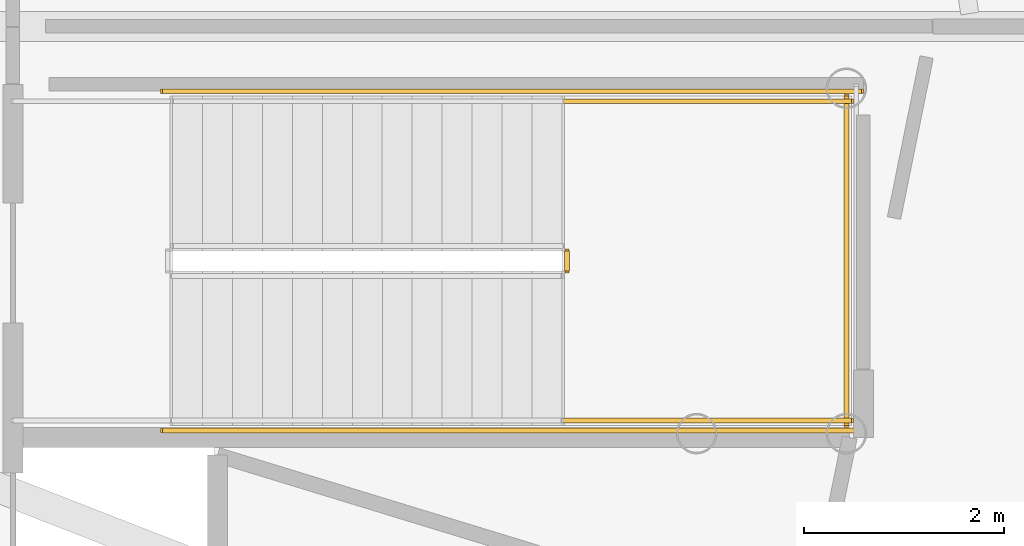
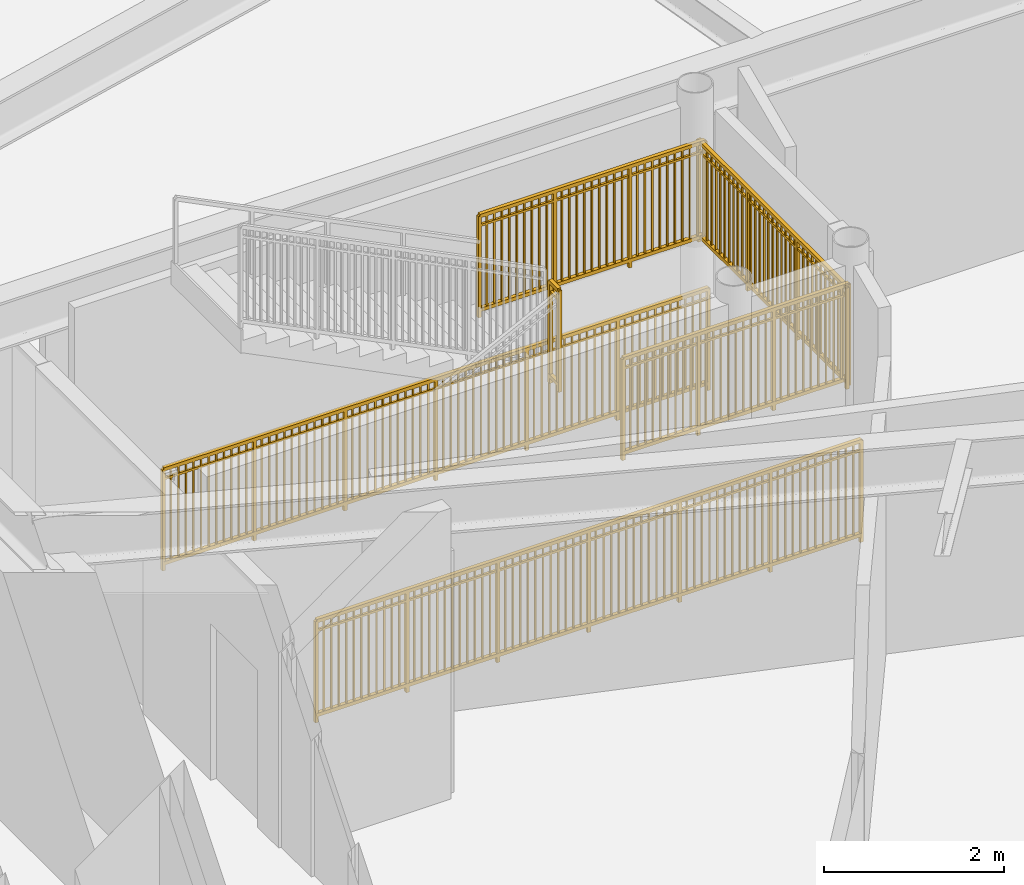
# One storey, part 31 of 32: 6 railings.
"""IFC4 building model written with IfcOpenShell, lengths in metres."""

from ifc_helpers import new_model, si_unit, direction, frame, origin, origin_2d, place, context, subcontext, project, spatial, rectangle, extrude, source, transform, mapped, material, type_object, element, save


model = new_model("IFC4")

# Units and contexts
model_context = context("Model", 3, precision=1e-05, world=origin(), true_north=direction((0.0, 1.0)))
body_context = subcontext(model_context, "Body", "Model", "MODEL_VIEW")
ifc_project = project(units=[si_unit("LENGTHUNIT", "METRE"), si_unit("AREAUNIT", "SQUARE_METRE"), si_unit("VOLUMEUNIT", "CUBIC_METRE"), si_unit("PLANEANGLEUNIT", "RADIAN"), si_unit("MASSUNIT", "GRAM", prefix="KILO")], contexts=[model_context])

# Site, building, storey
site_placement = place(None, origin())
site = spatial("IfcSite", under=ifc_project, at=site_placement, CompositionType="ELEMENT")
building_placement = place(site_placement, origin())
building = spatial("IfcBuilding", under=site, at=building_placement, Name="Linh Dai School and Residence Tower", CompositionType="ELEMENT")
storey_placement = place(building_placement, frame((0.0, 0.0, 40.800048828125)))
storey = spatial("IfcBuildingStorey", under=building, at=storey_placement, Name="L09", CompositionType="ELEMENT", Elevation=40.800048828125)

# Railings
ifc_material = material(Name="Structural Steel S355JR", Category="steel")
railing_type = type_object("IfcRailingType", Name="RL-ST-GUARD-1400", PredefinedType="GUARDRAIL", material=ifc_material)
shared_shape_1 = source(origin(), body_context, "Body", "SweptSolid", [
    extrude(rectangle(XDim=0.048095703125, YDim=0.048095703125, at=origin_2d()), frame((0.0, 0.0, 1.3759765625), z_axis=(0.0, 1.0, 0.0), x_axis=(-1.0, 0.0, 0.0)), (0.0, 0.0, 1.0), 0.199951171875),
    extrude(rectangle(XDim=0.048095703125, YDim=0.048095703125, at=origin_2d()), frame((0.0, 0.0, 0.10009765625), z_axis=(0.0, 1.0, 0.0), x_axis=(-1.0, 0.0, 0.0)), (0.0, 0.0, 1.0), 0.199951171875),
    extrude(rectangle(XDim=0.030029296875, YDim=0.030029296875, at=origin_2d()), frame((0.0, 0.0, 1.239990234375), z_axis=(0.0, 1.0, 0.0), x_axis=(-1.0, 0.0, 0.0)), (0.0, 0.0, 1.0), 0.199951171875),
    extrude(rectangle(XDim=0.0419921875, YDim=0.0419921875, at=origin_2d()), origin(), (0.0, 0.0, 1.0), 1.3759765625),
    extrude(rectangle(XDim=0.0419921875, YDim=0.0419921875, at=origin_2d()), frame((0.0, 0.199951171875, 0.0)), (0.0, 0.0, 1.0), 1.3759765625),
])
railing_1_placement = place(storey_placement, frame((53.550048828125, 24.550048828125, 2.099853515625)))
element("IfcRailing", 1, at=railing_1_placement, inside=storey, type_object=railing_type, Name="L09 STS2 stair guard 2", PredefinedType="GUARDRAIL", context=body_context, shape_type="MappedRepresentation", body=[
    mapped(shared_shape_1, transform((0.0, 0.0, 0.0), x_axis=(1.0, 0.0, 0.0), y_axis=(0.0, 1.0, 0.0), z_axis=(0.0, 0.0, 1.0), scale=1.0)),
])
shared_shape_2 = source(origin(), body_context, "Body", "SweptSolid", [
    extrude(rectangle(XDim=0.048095703125, YDim=0.048095703125, at=origin_2d()), frame((0.0, 0.0, 1.3759765625), z_axis=(0.0, 1.0, 0.0), x_axis=(-1.0, 0.0, 0.0)), (0.0, 0.0, 1.0), 3.300048828125),
    extrude(rectangle(XDim=0.048095703125, YDim=0.048095703125, at=origin_2d()), frame((0.0, 0.0, 0.10009765625), z_axis=(0.0, 1.0, 0.0), x_axis=(-1.0, 0.0, 0.0)), (0.0, 0.0, 1.0), 3.300048828125),
    extrude(rectangle(XDim=0.030029296875, YDim=0.030029296875, at=origin_2d()), frame((0.0, 0.0, 1.239990234375), z_axis=(0.0, 1.0, 0.0), x_axis=(-1.0, 0.0, 0.0)), (0.0, 0.0, 1.0), 3.300048828125),
    extrude(rectangle(XDim=0.02001953125, YDim=0.02001953125, at=origin_2d()), frame((0.0, 0.09716796875, 0.10009765625)), (0.0, 0.0, 1.0), 1.251708984375),
    extrude(rectangle(XDim=0.02001953125, YDim=0.02001953125, at=origin_2d()), frame((0.0, 0.194091796875, 0.10009765625)), (0.0, 0.0, 1.0), 1.251708984375),
    extrude(rectangle(XDim=0.02001953125, YDim=0.02001953125, at=origin_2d()), frame((0.0, 0.291259765625, 0.10009765625)), (0.0, 0.0, 1.0), 1.251708984375),
    extrude(rectangle(XDim=0.02001953125, YDim=0.02001953125, at=origin_2d()), frame((0.0, 0.38818359375, 0.10009765625)), (0.0, 0.0, 1.0), 1.251708984375),
    extrude(rectangle(XDim=0.02001953125, YDim=0.02001953125, at=origin_2d()), frame((0.0, 0.4853515625, 0.10009765625)), (0.0, 0.0, 1.0), 1.251708984375),
    extrude(rectangle(XDim=0.02001953125, YDim=0.02001953125, at=origin_2d()), frame((0.0, 0.582275390625, 0.10009765625)), (0.0, 0.0, 1.0), 1.251708984375),
    extrude(rectangle(XDim=0.02001953125, YDim=0.02001953125, at=origin_2d()), frame((0.0, 0.679443359375, 0.10009765625)), (0.0, 0.0, 1.0), 1.251708984375),
    extrude(rectangle(XDim=0.02001953125, YDim=0.02001953125, at=origin_2d()), frame((0.0, 0.7763671875, 0.10009765625)), (0.0, 0.0, 1.0), 1.251708984375),
    extrude(rectangle(XDim=0.02001953125, YDim=0.02001953125, at=origin_2d()), frame((0.0, 0.87353515625, 0.10009765625)), (0.0, 0.0, 1.0), 1.251708984375),
    extrude(rectangle(XDim=0.02001953125, YDim=0.02001953125, at=origin_2d()), frame((0.0, 0.970703125, 0.10009765625)), (0.0, 0.0, 1.0), 1.251708984375),
    extrude(rectangle(XDim=0.02001953125, YDim=0.02001953125, at=origin_2d()), frame((0.0, 1.164794921875, 0.10009765625)), (0.0, 0.0, 1.0), 1.251708984375),
    extrude(rectangle(XDim=0.02001953125, YDim=0.02001953125, at=origin_2d()), frame((0.0, 1.26171875, 0.10009765625)), (0.0, 0.0, 1.0), 1.251708984375),
    extrude(rectangle(XDim=0.02001953125, YDim=0.02001953125, at=origin_2d()), frame((0.0, 1.35888671875, 0.10009765625)), (0.0, 0.0, 1.0), 1.251708984375),
    extrude(rectangle(XDim=0.02001953125, YDim=0.02001953125, at=origin_2d()), frame((0.0, 1.455810546875, 0.10009765625)), (0.0, 0.0, 1.0), 1.251708984375),
    extrude(rectangle(XDim=0.02001953125, YDim=0.02001953125, at=origin_2d()), frame((0.0, 1.552978515625, 0.10009765625)), (0.0, 0.0, 1.0), 1.251708984375),
    extrude(rectangle(XDim=0.02001953125, YDim=0.02001953125, at=origin_2d()), frame((0.0, 1.64990234375, 0.10009765625)), (0.0, 0.0, 1.0), 1.251708984375),
    extrude(rectangle(XDim=0.02001953125, YDim=0.02001953125, at=origin_2d()), frame((0.0, 1.7470703125, 0.10009765625)), (0.0, 0.0, 1.0), 1.251708984375),
    extrude(rectangle(XDim=0.02001953125, YDim=0.02001953125, at=origin_2d()), frame((0.0, 1.84423828125, 0.10009765625)), (0.0, 0.0, 1.0), 1.251708984375),
    extrude(rectangle(XDim=0.02001953125, YDim=0.02001953125, at=origin_2d()), frame((0.0, 1.941162109375, 0.10009765625)), (0.0, 0.0, 1.0), 1.251708984375),
    extrude(rectangle(XDim=0.02001953125, YDim=0.02001953125, at=origin_2d()), frame((0.0, 2.038330078125, 0.10009765625)), (0.0, 0.0, 1.0), 1.251708984375),
    extrude(rectangle(XDim=0.02001953125, YDim=0.02001953125, at=origin_2d()), frame((0.0, 2.13525390625, 0.10009765625)), (0.0, 0.0, 1.0), 1.251708984375),
    extrude(rectangle(XDim=0.02001953125, YDim=0.02001953125, at=origin_2d()), frame((0.0, 2.329345703125, 0.10009765625)), (0.0, 0.0, 1.0), 1.251708984375),
    extrude(rectangle(XDim=0.02001953125, YDim=0.02001953125, at=origin_2d()), frame((0.0, 2.426513671875, 0.10009765625)), (0.0, 0.0, 1.0), 1.251708984375),
    extrude(rectangle(XDim=0.02001953125, YDim=0.02001953125, at=origin_2d()), frame((0.0, 2.523681640625, 0.10009765625)), (0.0, 0.0, 1.0), 1.251708984375),
    extrude(rectangle(XDim=0.02001953125, YDim=0.02001953125, at=origin_2d()), frame((0.0, 2.62060546875, 0.10009765625)), (0.0, 0.0, 1.0), 1.251708984375),
    extrude(rectangle(XDim=0.02001953125, YDim=0.02001953125, at=origin_2d()), frame((0.0, 2.7177734375, 0.10009765625)), (0.0, 0.0, 1.0), 1.251708984375),
    extrude(rectangle(XDim=0.02001953125, YDim=0.02001953125, at=origin_2d()), frame((0.0, 2.814697265625, 0.10009765625)), (0.0, 0.0, 1.0), 1.251708984375),
    extrude(rectangle(XDim=0.02001953125, YDim=0.02001953125, at=origin_2d()), frame((0.0, 2.911865234375, 0.10009765625)), (0.0, 0.0, 1.0), 1.251708984375),
    extrude(rectangle(XDim=0.02001953125, YDim=0.02001953125, at=origin_2d()), frame((0.0, 3.0087890625, 0.10009765625)), (0.0, 0.0, 1.0), 1.251708984375),
    extrude(rectangle(XDim=0.02001953125, YDim=0.02001953125, at=origin_2d()), frame((0.0, 3.10595703125, 0.10009765625)), (0.0, 0.0, 1.0), 1.251708984375),
    extrude(rectangle(XDim=0.02001953125, YDim=0.02001953125, at=origin_2d()), frame((0.0, 3.202880859375, 0.10009765625)), (0.0, 0.0, 1.0), 1.251708984375),
    extrude(rectangle(XDim=0.0419921875, YDim=0.0419921875, at=origin_2d()), origin(), (0.0, 0.0, 1.0), 1.3759765625),
    extrude(rectangle(XDim=0.0419921875, YDim=0.0419921875, at=origin_2d()), frame((0.0, 1.10009765625, 0.0)), (0.0, 0.0, 1.0), 1.3759765625),
    extrude(rectangle(XDim=0.0419921875, YDim=0.0419921875, at=origin_2d()), frame((0.0, 2.199951171875, 0.0)), (0.0, 0.0, 1.0), 1.3759765625),
    extrude(rectangle(XDim=0.0419921875, YDim=0.0419921875, at=origin_2d()), frame((0.0, 3.300048828125, 0.0)), (0.0, 0.0, 1.0), 1.3759765625),
])
railing_2_placement = place(storey_placement, frame((56.35009765625, 23.0, 2.099853515625)))
element("IfcRailing", 2, at=railing_2_placement, inside=storey, type_object=railing_type, Name="L09 STS2 stair guard 5", PredefinedType="GUARDRAIL", context=body_context, shape_type="MappedRepresentation", body=[
    mapped(shared_shape_2, transform((0.0, 0.0, 0.0), x_axis=(1.0, 0.0, 0.0), y_axis=(0.0, 1.0, 0.0), z_axis=(0.0, 0.0, 1.0), scale=1.0)),
])
shared_shape_3 = source(origin(), body_context, "Body", "SweptSolid", [
    extrude(rectangle(XDim=0.048095703125, YDim=0.048095703125, at=origin_2d()), frame((0.0, 0.0, 1.3759765625), z_axis=(1.0, 0.0, 0.0), x_axis=(0.0, 1.0, 0.0)), (0.0, 0.0, 1.0), 2.89990234375),
    extrude(rectangle(XDim=0.048095703125, YDim=0.048095703125, at=origin_2d()), frame((0.0, 0.0, 0.10009765625), z_axis=(1.0, 0.0, 0.0), x_axis=(0.0, 1.0, 0.0)), (0.0, 0.0, 1.0), 2.89990234375),
    extrude(rectangle(XDim=0.030029296875, YDim=0.030029296875, at=origin_2d()), frame((0.0, 0.0, 1.239990234375), z_axis=(1.0, 0.0, 0.0), x_axis=(0.0, 1.0, 0.0)), (0.0, 0.0, 1.0), 2.89990234375),
    extrude(rectangle(XDim=0.02001953125, YDim=0.02001953125, at=origin_2d()), frame((0.0966796875, 0.0, 0.10009765625)), (0.0, 0.0, 1.0), 1.251708984375),
    extrude(rectangle(XDim=0.02001953125, YDim=0.02001953125, at=origin_2d()), frame((0.193359375, 0.0, 0.10009765625)), (0.0, 0.0, 1.0), 1.251708984375),
    extrude(rectangle(XDim=0.02001953125, YDim=0.02001953125, at=origin_2d()), frame((0.2900390625, 0.0, 0.10009765625)), (0.0, 0.0, 1.0), 1.251708984375),
    extrude(rectangle(XDim=0.02001953125, YDim=0.02001953125, at=origin_2d()), frame((0.38671875, 0.0, 0.10009765625)), (0.0, 0.0, 1.0), 1.251708984375),
    extrude(rectangle(XDim=0.02001953125, YDim=0.02001953125, at=origin_2d()), frame((0.4833984375, 0.0, 0.10009765625)), (0.0, 0.0, 1.0), 1.251708984375),
    extrude(rectangle(XDim=0.02001953125, YDim=0.02001953125, at=origin_2d()), frame((0.580078125, 0.0, 0.10009765625)), (0.0, 0.0, 1.0), 1.251708984375),
    extrude(rectangle(XDim=0.02001953125, YDim=0.02001953125, at=origin_2d()), frame((0.6767578125, 0.0, 0.10009765625)), (0.0, 0.0, 1.0), 1.251708984375),
    extrude(rectangle(XDim=0.02001953125, YDim=0.02001953125, at=origin_2d()), frame((0.773193359375, 0.0, 0.10009765625)), (0.0, 0.0, 1.0), 1.251708984375),
    extrude(rectangle(XDim=0.02001953125, YDim=0.02001953125, at=origin_2d()), frame((0.869873046875, 0.0, 0.10009765625)), (0.0, 0.0, 1.0), 1.251708984375),
    extrude(rectangle(XDim=0.02001953125, YDim=0.02001953125, at=origin_2d()), frame((1.063232421875, 0.0, 0.10009765625)), (0.0, 0.0, 1.0), 1.251708984375),
    extrude(rectangle(XDim=0.02001953125, YDim=0.02001953125, at=origin_2d()), frame((1.159912109375, 0.0, 0.10009765625)), (0.0, 0.0, 1.0), 1.251708984375),
    extrude(rectangle(XDim=0.02001953125, YDim=0.02001953125, at=origin_2d()), frame((1.256591796875, 0.0, 0.10009765625)), (0.0, 0.0, 1.0), 1.251708984375),
    extrude(rectangle(XDim=0.02001953125, YDim=0.02001953125, at=origin_2d()), frame((1.353271484375, 0.0, 0.10009765625)), (0.0, 0.0, 1.0), 1.251708984375),
    extrude(rectangle(XDim=0.02001953125, YDim=0.02001953125, at=origin_2d()), frame((1.449951171875, 0.0, 0.10009765625)), (0.0, 0.0, 1.0), 1.251708984375),
    extrude(rectangle(XDim=0.02001953125, YDim=0.02001953125, at=origin_2d()), frame((1.546630859375, 0.0, 0.10009765625)), (0.0, 0.0, 1.0), 1.251708984375),
    extrude(rectangle(XDim=0.02001953125, YDim=0.02001953125, at=origin_2d()), frame((1.643310546875, 0.0, 0.10009765625)), (0.0, 0.0, 1.0), 1.251708984375),
    extrude(rectangle(XDim=0.02001953125, YDim=0.02001953125, at=origin_2d()), frame((1.739990234375, 0.0, 0.10009765625)), (0.0, 0.0, 1.0), 1.251708984375),
    extrude(rectangle(XDim=0.02001953125, YDim=0.02001953125, at=origin_2d()), frame((1.836669921875, 0.0, 0.10009765625)), (0.0, 0.0, 1.0), 1.251708984375),
    extrude(rectangle(XDim=0.02001953125, YDim=0.02001953125, at=origin_2d()), frame((2.030029296875, 0.0, 0.10009765625)), (0.0, 0.0, 1.0), 1.251708984375),
    extrude(rectangle(XDim=0.02001953125, YDim=0.02001953125, at=origin_2d()), frame((2.126708984375, 0.0, 0.10009765625)), (0.0, 0.0, 1.0), 1.251708984375),
    extrude(rectangle(XDim=0.02001953125, YDim=0.02001953125, at=origin_2d()), frame((2.22314453125, 0.0, 0.10009765625)), (0.0, 0.0, 1.0), 1.251708984375),
    extrude(rectangle(XDim=0.02001953125, YDim=0.02001953125, at=origin_2d()), frame((2.31982421875, 0.0, 0.10009765625)), (0.0, 0.0, 1.0), 1.251708984375),
    extrude(rectangle(XDim=0.02001953125, YDim=0.02001953125, at=origin_2d()), frame((2.41650390625, 0.0, 0.10009765625)), (0.0, 0.0, 1.0), 1.251708984375),
    extrude(rectangle(XDim=0.02001953125, YDim=0.02001953125, at=origin_2d()), frame((2.51318359375, 0.0, 0.10009765625)), (0.0, 0.0, 1.0), 1.251708984375),
    extrude(rectangle(XDim=0.02001953125, YDim=0.02001953125, at=origin_2d()), frame((2.60986328125, 0.0, 0.10009765625)), (0.0, 0.0, 1.0), 1.251708984375),
    extrude(rectangle(XDim=0.02001953125, YDim=0.02001953125, at=origin_2d()), frame((2.70654296875, 0.0, 0.10009765625)), (0.0, 0.0, 1.0), 1.251708984375),
    extrude(rectangle(XDim=0.02001953125, YDim=0.02001953125, at=origin_2d()), frame((2.80322265625, 0.0, 0.10009765625)), (0.0, 0.0, 1.0), 1.251708984375),
    extrude(rectangle(XDim=0.0419921875, YDim=0.0419921875, at=origin_2d()), origin(), (0.0, 0.0, 1.0), 1.3759765625),
    extrude(rectangle(XDim=0.0419921875, YDim=0.0419921875, at=origin_2d()), frame((0.966552734375, 0.0, 0.0)), (0.0, 0.0, 1.0), 1.3759765625),
    extrude(rectangle(XDim=0.0419921875, YDim=0.0419921875, at=origin_2d()), frame((1.933349609375, 0.0, 0.0)), (0.0, 0.0, 1.0), 1.3759765625),
    extrude(rectangle(XDim=0.0419921875, YDim=0.0419921875, at=origin_2d()), frame((2.89990234375, 0.0, 0.0)), (0.0, 0.0, 1.0), 1.3759765625),
])
for number, where, name in (
    (3, (53.5, 23.050048828125, 2.099853515625), "L09 STS2 stair guard 3"),
    (4, (53.5, 26.25, 2.099853515625), "L09 STS2 stair guard 4"),
):
    element("IfcRailing", number, at=place(storey_placement, frame(where)), inside=storey, type_object=railing_type, Name=name, PredefinedType="GUARDRAIL", context=body_context, shape_type="MappedRepresentation", body=[
        mapped(shared_shape_3, transform((0.0, 0.0, 0.0), x_axis=(1.0, 0.0, 0.0), y_axis=(0.0, 1.0, 0.0), z_axis=(0.0, 0.0, 1.0), scale=1.0)),
    ])
shared_shape_4 = source(origin(), body_context, "Body", "SweptSolid", [
    extrude(rectangle(XDim=0.048095703125, YDim=0.048095703125, at=origin_2d()), frame((0.0, 0.0, 1.3759765625), z_axis=(1.0, 0.0, 0.0), x_axis=(0.0, 1.0, 0.0)), (0.0, 0.0, 1.0), 7.0),
    extrude(rectangle(XDim=0.048095703125, YDim=0.048095703125, at=origin_2d()), frame((0.0, 0.0, 0.10009765625), z_axis=(1.0, 0.0, 0.0), x_axis=(0.0, 1.0, 0.0)), (0.0, 0.0, 1.0), 7.0),
    extrude(rectangle(XDim=0.030029296875, YDim=0.030029296875, at=origin_2d()), frame((0.0, 0.0, 1.239990234375), z_axis=(1.0, 0.0, 0.0), x_axis=(0.0, 1.0, 0.0)), (0.0, 0.0, 1.0), 7.0),
    extrude(rectangle(XDim=0.02001953125, YDim=0.02001953125, at=origin_2d()), frame((0.09716796875, 0.0, 0.10009765625)), (0.0, 0.0, 1.0), 1.251708984375),
    extrude(rectangle(XDim=0.02001953125, YDim=0.02001953125, at=origin_2d()), frame((0.1943359375, 0.0, 0.10009765625)), (0.0, 0.0, 1.0), 1.251708984375),
    extrude(rectangle(XDim=0.02001953125, YDim=0.02001953125, at=origin_2d()), frame((0.291748046875, 0.0, 0.10009765625)), (0.0, 0.0, 1.0), 1.251708984375),
    extrude(rectangle(XDim=0.02001953125, YDim=0.02001953125, at=origin_2d()), frame((0.388916015625, 0.0, 0.10009765625)), (0.0, 0.0, 1.0), 1.251708984375),
    extrude(rectangle(XDim=0.02001953125, YDim=0.02001953125, at=origin_2d()), frame((0.486083984375, 0.0, 0.10009765625)), (0.0, 0.0, 1.0), 1.251708984375),
    extrude(rectangle(XDim=0.02001953125, YDim=0.02001953125, at=origin_2d()), frame((0.583251953125, 0.0, 0.10009765625)), (0.0, 0.0, 1.0), 1.251708984375),
    extrude(rectangle(XDim=0.02001953125, YDim=0.02001953125, at=origin_2d()), frame((0.6806640625, 0.0, 0.10009765625)), (0.0, 0.0, 1.0), 1.251708984375),
    extrude(rectangle(XDim=0.02001953125, YDim=0.02001953125, at=origin_2d()), frame((0.77783203125, 0.0, 0.10009765625)), (0.0, 0.0, 1.0), 1.251708984375),
    extrude(rectangle(XDim=0.02001953125, YDim=0.02001953125, at=origin_2d()), frame((0.875, 0.0, 0.10009765625)), (0.0, 0.0, 1.0), 1.251708984375),
    extrude(rectangle(XDim=0.02001953125, YDim=0.02001953125, at=origin_2d()), frame((0.97216796875, 0.0, 0.10009765625)), (0.0, 0.0, 1.0), 1.251708984375),
    extrude(rectangle(XDim=0.02001953125, YDim=0.02001953125, at=origin_2d()), frame((1.0693359375, 0.0, 0.10009765625)), (0.0, 0.0, 1.0), 1.251708984375),
    extrude(rectangle(XDim=0.02001953125, YDim=0.02001953125, at=origin_2d()), frame((1.263916015625, 0.0, 0.10009765625)), (0.0, 0.0, 1.0), 1.251708984375),
    extrude(rectangle(XDim=0.02001953125, YDim=0.02001953125, at=origin_2d()), frame((1.361083984375, 0.0, 0.10009765625)), (0.0, 0.0, 1.0), 1.251708984375),
    extrude(rectangle(XDim=0.02001953125, YDim=0.02001953125, at=origin_2d()), frame((1.458251953125, 0.0, 0.10009765625)), (0.0, 0.0, 1.0), 1.251708984375),
    extrude(rectangle(XDim=0.02001953125, YDim=0.02001953125, at=origin_2d()), frame((1.5556640625, 0.0, 0.10009765625)), (0.0, 0.0, 1.0), 1.251708984375),
    extrude(rectangle(XDim=0.02001953125, YDim=0.02001953125, at=origin_2d()), frame((1.65283203125, 0.0, 0.10009765625)), (0.0, 0.0, 1.0), 1.251708984375),
    extrude(rectangle(XDim=0.02001953125, YDim=0.02001953125, at=origin_2d()), frame((1.75, 0.0, 0.10009765625)), (0.0, 0.0, 1.0), 1.251708984375),
    extrude(rectangle(XDim=0.02001953125, YDim=0.02001953125, at=origin_2d()), frame((1.84716796875, 0.0, 0.10009765625)), (0.0, 0.0, 1.0), 1.251708984375),
    extrude(rectangle(XDim=0.02001953125, YDim=0.02001953125, at=origin_2d()), frame((1.9443359375, 0.0, 0.10009765625)), (0.0, 0.0, 1.0), 1.251708984375),
    extrude(rectangle(XDim=0.02001953125, YDim=0.02001953125, at=origin_2d()), frame((2.041748046875, 0.0, 0.10009765625)), (0.0, 0.0, 1.0), 1.251708984375),
    extrude(rectangle(XDim=0.02001953125, YDim=0.02001953125, at=origin_2d()), frame((2.138916015625, 0.0, 0.10009765625)), (0.0, 0.0, 1.0), 1.251708984375),
    extrude(rectangle(XDim=0.02001953125, YDim=0.02001953125, at=origin_2d()), frame((2.236083984375, 0.0, 0.10009765625)), (0.0, 0.0, 1.0), 1.251708984375),
    extrude(rectangle(XDim=0.02001953125, YDim=0.02001953125, at=origin_2d()), frame((2.4306640625, 0.0, 0.10009765625)), (0.0, 0.0, 1.0), 1.251708984375),
    extrude(rectangle(XDim=0.02001953125, YDim=0.02001953125, at=origin_2d()), frame((2.52783203125, 0.0, 0.10009765625)), (0.0, 0.0, 1.0), 1.251708984375),
    extrude(rectangle(XDim=0.02001953125, YDim=0.02001953125, at=origin_2d()), frame((2.625, 0.0, 0.10009765625)), (0.0, 0.0, 1.0), 1.251708984375),
    extrude(rectangle(XDim=0.02001953125, YDim=0.02001953125, at=origin_2d()), frame((2.72216796875, 0.0, 0.10009765625)), (0.0, 0.0, 1.0), 1.251708984375),
    extrude(rectangle(XDim=0.02001953125, YDim=0.02001953125, at=origin_2d()), frame((2.8193359375, 0.0, 0.10009765625)), (0.0, 0.0, 1.0), 1.251708984375),
    extrude(rectangle(XDim=0.02001953125, YDim=0.02001953125, at=origin_2d()), frame((2.916748046875, 0.0, 0.10009765625)), (0.0, 0.0, 1.0), 1.251708984375),
    extrude(rectangle(XDim=0.02001953125, YDim=0.02001953125, at=origin_2d()), frame((3.013916015625, 0.0, 0.10009765625)), (0.0, 0.0, 1.0), 1.251708984375),
    extrude(rectangle(XDim=0.02001953125, YDim=0.02001953125, at=origin_2d()), frame((3.111083984375, 0.0, 0.10009765625)), (0.0, 0.0, 1.0), 1.251708984375),
    extrude(rectangle(XDim=0.02001953125, YDim=0.02001953125, at=origin_2d()), frame((3.208251953125, 0.0, 0.10009765625)), (0.0, 0.0, 1.0), 1.251708984375),
    extrude(rectangle(XDim=0.02001953125, YDim=0.02001953125, at=origin_2d()), frame((3.3056640625, 0.0, 0.10009765625)), (0.0, 0.0, 1.0), 1.251708984375),
    extrude(rectangle(XDim=0.02001953125, YDim=0.02001953125, at=origin_2d()), frame((3.40283203125, 0.0, 0.10009765625)), (0.0, 0.0, 1.0), 1.251708984375),
    extrude(rectangle(XDim=0.02001953125, YDim=0.02001953125, at=origin_2d()), frame((3.59716796875, 0.0, 0.10009765625)), (0.0, 0.0, 1.0), 1.251708984375),
    extrude(rectangle(XDim=0.02001953125, YDim=0.02001953125, at=origin_2d()), frame((3.6943359375, 0.0, 0.10009765625)), (0.0, 0.0, 1.0), 1.251708984375),
    extrude(rectangle(XDim=0.02001953125, YDim=0.02001953125, at=origin_2d()), frame((3.791748046875, 0.0, 0.10009765625)), (0.0, 0.0, 1.0), 1.251708984375),
    extrude(rectangle(XDim=0.02001953125, YDim=0.02001953125, at=origin_2d()), frame((3.888916015625, 0.0, 0.10009765625)), (0.0, 0.0, 1.0), 1.251708984375),
    extrude(rectangle(XDim=0.02001953125, YDim=0.02001953125, at=origin_2d()), frame((3.986083984375, 0.0, 0.10009765625)), (0.0, 0.0, 1.0), 1.251708984375),
    extrude(rectangle(XDim=0.02001953125, YDim=0.02001953125, at=origin_2d()), frame((4.083251953125, 0.0, 0.10009765625)), (0.0, 0.0, 1.0), 1.251708984375),
    extrude(rectangle(XDim=0.02001953125, YDim=0.02001953125, at=origin_2d()), frame((4.1806640625, 0.0, 0.10009765625)), (0.0, 0.0, 1.0), 1.251708984375),
    extrude(rectangle(XDim=0.02001953125, YDim=0.02001953125, at=origin_2d()), frame((4.27783203125, 0.0, 0.10009765625)), (0.0, 0.0, 1.0), 1.251708984375),
    extrude(rectangle(XDim=0.02001953125, YDim=0.02001953125, at=origin_2d()), frame((4.375, 0.0, 0.10009765625)), (0.0, 0.0, 1.0), 1.251708984375),
    extrude(rectangle(XDim=0.02001953125, YDim=0.02001953125, at=origin_2d()), frame((4.47216796875, 0.0, 0.10009765625)), (0.0, 0.0, 1.0), 1.251708984375),
    extrude(rectangle(XDim=0.02001953125, YDim=0.02001953125, at=origin_2d()), frame((4.5693359375, 0.0, 0.10009765625)), (0.0, 0.0, 1.0), 1.251708984375),
    extrude(rectangle(XDim=0.02001953125, YDim=0.02001953125, at=origin_2d()), frame((4.763916015625, 0.0, 0.10009765625)), (0.0, 0.0, 1.0), 1.251708984375),
    extrude(rectangle(XDim=0.02001953125, YDim=0.02001953125, at=origin_2d()), frame((4.861083984375, 0.0, 0.10009765625)), (0.0, 0.0, 1.0), 1.251708984375),
    extrude(rectangle(XDim=0.02001953125, YDim=0.02001953125, at=origin_2d()), frame((4.958251953125, 0.0, 0.10009765625)), (0.0, 0.0, 1.0), 1.251708984375),
    extrude(rectangle(XDim=0.02001953125, YDim=0.02001953125, at=origin_2d()), frame((5.0556640625, 0.0, 0.10009765625)), (0.0, 0.0, 1.0), 1.251708984375),
    extrude(rectangle(XDim=0.02001953125, YDim=0.02001953125, at=origin_2d()), frame((5.15283203125, 0.0, 0.10009765625)), (0.0, 0.0, 1.0), 1.251708984375),
    extrude(rectangle(XDim=0.02001953125, YDim=0.02001953125, at=origin_2d()), frame((5.25, 0.0, 0.10009765625)), (0.0, 0.0, 1.0), 1.251708984375),
    extrude(rectangle(XDim=0.02001953125, YDim=0.02001953125, at=origin_2d()), frame((5.34716796875, 0.0, 0.10009765625)), (0.0, 0.0, 1.0), 1.251708984375),
    extrude(rectangle(XDim=0.02001953125, YDim=0.02001953125, at=origin_2d()), frame((5.4443359375, 0.0, 0.10009765625)), (0.0, 0.0, 1.0), 1.251708984375),
    extrude(rectangle(XDim=0.02001953125, YDim=0.02001953125, at=origin_2d()), frame((5.541748046875, 0.0, 0.10009765625)), (0.0, 0.0, 1.0), 1.251708984375),
    extrude(rectangle(XDim=0.02001953125, YDim=0.02001953125, at=origin_2d()), frame((5.638916015625, 0.0, 0.10009765625)), (0.0, 0.0, 1.0), 1.251708984375),
    extrude(rectangle(XDim=0.02001953125, YDim=0.02001953125, at=origin_2d()), frame((5.736083984375, 0.0, 0.10009765625)), (0.0, 0.0, 1.0), 1.251708984375),
    extrude(rectangle(XDim=0.02001953125, YDim=0.02001953125, at=origin_2d()), frame((5.9306640625, 0.0, 0.10009765625)), (0.0, 0.0, 1.0), 1.251708984375),
    extrude(rectangle(XDim=0.02001953125, YDim=0.02001953125, at=origin_2d()), frame((6.02783203125, 0.0, 0.10009765625)), (0.0, 0.0, 1.0), 1.251708984375),
    extrude(rectangle(XDim=0.02001953125, YDim=0.02001953125, at=origin_2d()), frame((6.125, 0.0, 0.10009765625)), (0.0, 0.0, 1.0), 1.251708984375),
    extrude(rectangle(XDim=0.02001953125, YDim=0.02001953125, at=origin_2d()), frame((6.22216796875, 0.0, 0.10009765625)), (0.0, 0.0, 1.0), 1.251708984375),
    extrude(rectangle(XDim=0.02001953125, YDim=0.02001953125, at=origin_2d()), frame((6.3193359375, 0.0, 0.10009765625)), (0.0, 0.0, 1.0), 1.251708984375),
    extrude(rectangle(XDim=0.02001953125, YDim=0.02001953125, at=origin_2d()), frame((6.416748046875, 0.0, 0.10009765625)), (0.0, 0.0, 1.0), 1.251708984375),
    extrude(rectangle(XDim=0.02001953125, YDim=0.02001953125, at=origin_2d()), frame((6.513916015625, 0.0, 0.10009765625)), (0.0, 0.0, 1.0), 1.251708984375),
    extrude(rectangle(XDim=0.02001953125, YDim=0.02001953125, at=origin_2d()), frame((6.611083984375, 0.0, 0.10009765625)), (0.0, 0.0, 1.0), 1.251708984375),
    extrude(rectangle(XDim=0.02001953125, YDim=0.02001953125, at=origin_2d()), frame((6.708251953125, 0.0, 0.10009765625)), (0.0, 0.0, 1.0), 1.251708984375),
    extrude(rectangle(XDim=0.02001953125, YDim=0.02001953125, at=origin_2d()), frame((6.8056640625, 0.0, 0.10009765625)), (0.0, 0.0, 1.0), 1.251708984375),
    extrude(rectangle(XDim=0.02001953125, YDim=0.02001953125, at=origin_2d()), frame((6.90283203125, 0.0, 0.10009765625)), (0.0, 0.0, 1.0), 1.251708984375),
    extrude(rectangle(XDim=0.0419921875, YDim=0.0419921875, at=origin_2d()), origin(), (0.0, 0.0, 1.0), 1.3759765625),
    extrude(rectangle(XDim=0.0419921875, YDim=0.0419921875, at=origin_2d()), frame((1.166748046875, 0.0, 0.0)), (0.0, 0.0, 1.0), 1.3759765625),
    extrude(rectangle(XDim=0.0419921875, YDim=0.0419921875, at=origin_2d()), frame((2.333251953125, 0.0, 0.0)), (0.0, 0.0, 1.0), 1.3759765625),
    extrude(rectangle(XDim=0.0419921875, YDim=0.0419921875, at=origin_2d()), frame((3.5, 0.0, 0.0)), (0.0, 0.0, 1.0), 1.3759765625),
    extrude(rectangle(XDim=0.0419921875, YDim=0.0419921875, at=origin_2d()), frame((4.666748046875, 0.0, 0.0)), (0.0, 0.0, 1.0), 1.3759765625),
    extrude(rectangle(XDim=0.0419921875, YDim=0.0419921875, at=origin_2d()), frame((5.833251953125, 0.0, 0.0)), (0.0, 0.0, 1.0), 1.3759765625),
    extrude(rectangle(XDim=0.0419921875, YDim=0.0419921875, at=origin_2d()), frame((7.0, 0.0, 0.0)), (0.0, 0.0, 1.0), 1.3759765625),
])
for number, where, name in (
    (5, (49.5, 22.949951171875, 0.0), "L09 STS2 stair guard 10"),
    (6, (49.5, 26.35009765625, 0.0), "L09 STS2 stair guard 11"),
):
    element("IfcRailing", number, at=place(storey_placement, frame(where)), inside=storey, type_object=railing_type, Name=name, PredefinedType="GUARDRAIL", context=body_context, shape_type="MappedRepresentation", body=[
        mapped(shared_shape_4, transform((0.0, 0.0, 0.0), x_axis=(1.0, 0.0, 0.0), y_axis=(0.0, 1.0, 0.0), z_axis=(0.0, 0.0, 1.0), scale=1.0)),
    ])

save(model, "model.ifc")
